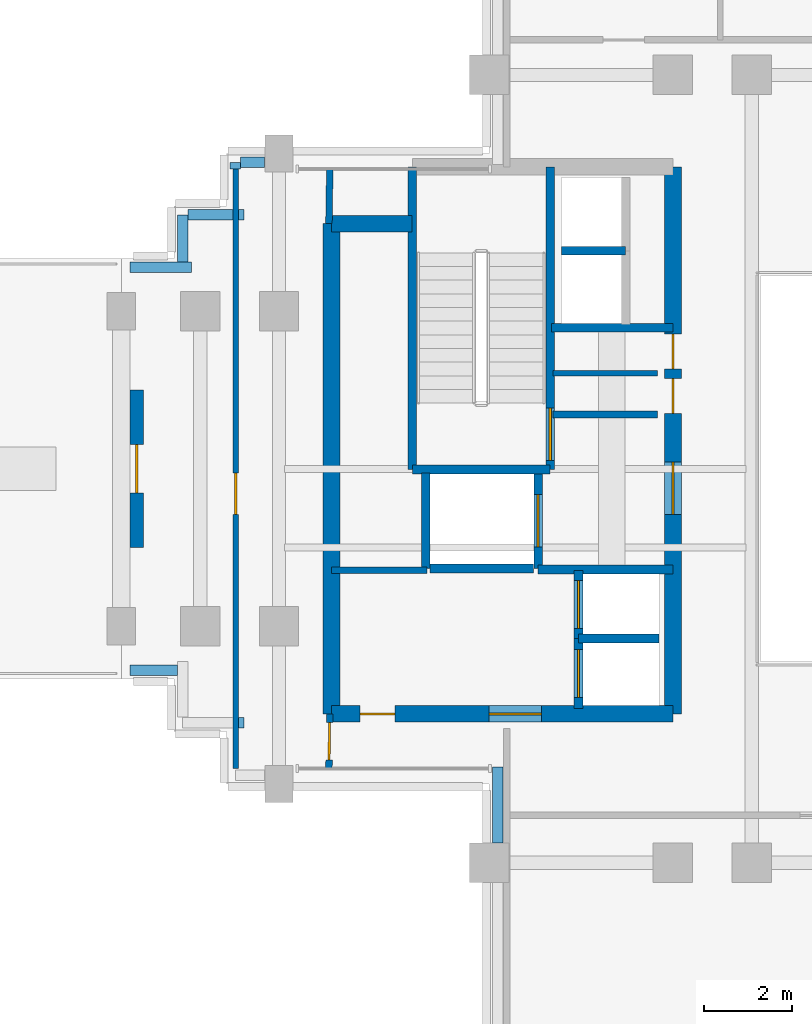
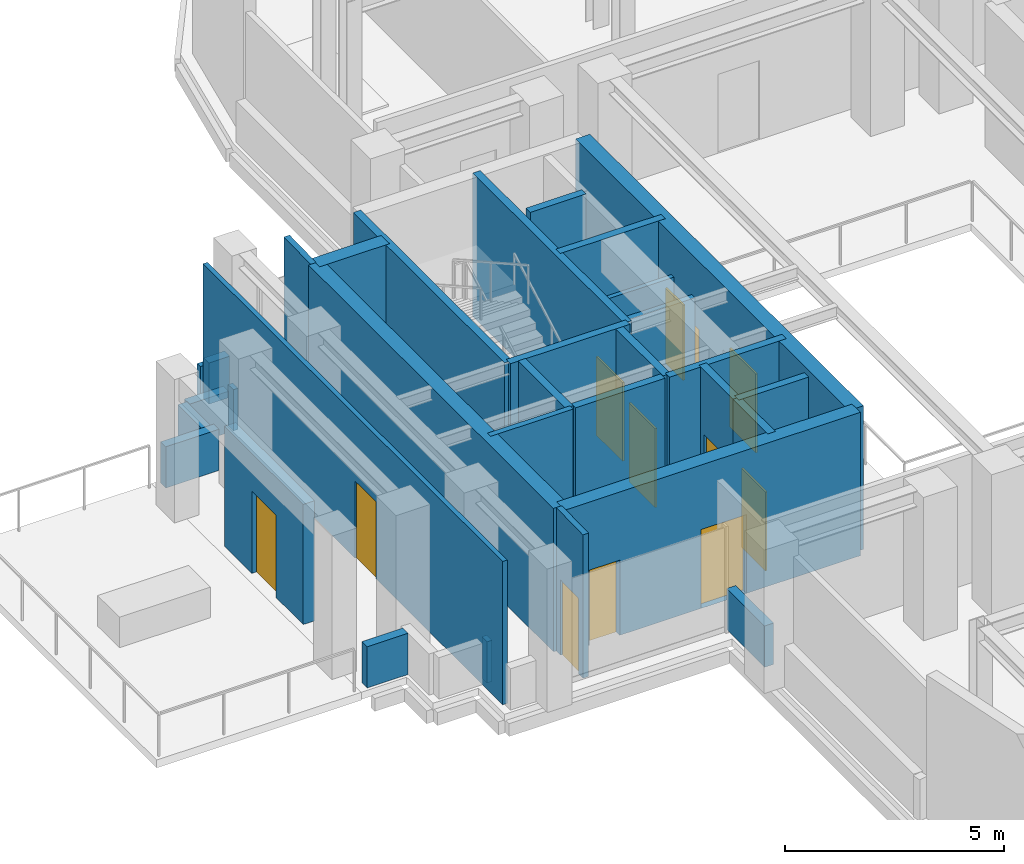
# One storey, part 6 of 12: 32 walls, 12 doors, 12 openings.
"""IFC4 building model written with IfcOpenShell, lengths in metres."""

from ifc_helpers import new_model, si_unit, direction, frame, frame_2d, origin, place, context, subcontext, project, spatial, rectangle, extrude, source, transform, mapped, material, layer, layer_set, type_object, element, fill, save


model = new_model("IFC4")

# Units and contexts
model_context = context("Model", 3, precision=1e-05, world=origin(), true_north=direction((0.0, 1.0)))
body_context = subcontext(model_context, "Body", "Model", "MODEL_VIEW")
ifc_project = project(units=[si_unit("LENGTHUNIT", "METRE"), si_unit("AREAUNIT", "SQUARE_METRE"), si_unit("VOLUMEUNIT", "CUBIC_METRE"), si_unit("PLANEANGLEUNIT", "RADIAN"), si_unit("MASSUNIT", "GRAM", prefix="KILO")], contexts=[model_context])

# Site, building, storey
site_placement = place(None, origin())
site = spatial("IfcSite", under=ifc_project, at=site_placement, CompositionType="ELEMENT")
building_placement = place(site_placement, origin())
building = spatial("IfcBuilding", under=site, at=building_placement, Name="Keilestroom Media Tower", CompositionType="ELEMENT")
storey_placement = place(building_placement, frame((0.0, 0.0, 156.199951171875)))
storey = spatial("IfcBuildingStorey", under=building, at=storey_placement, Name="L42", CompositionType="ELEMENT", Elevation=156.199951171875)

# Wall, opening, door
ifc_material_1 = material(Name="Precast concrete C40/50", Category="concrete")
ifc_layer_1 = layer(ifc_material_1, 0.300048828125)
ifc_layer_set_1 = layer_set([ifc_layer_1], Name="Precast concrete C40/50")
wall_type_1 = type_object("IfcWallType", Name="Exterior-Masonry-Spandrel-Wall-300", PredefinedType="SOLIDWALL", material=ifc_layer_set_1)
wall_1_placement = place(storey_placement, frame((-17.64990234375, -1.800048828125, 0.0), z_axis=(0.0, 0.0, 1.0), x_axis=(0.0, 1.0, 0.0)))
wall_1 = element("IfcWall", 1, at=wall_1_placement, inside=storey, type_object=wall_type_1, Name="L42 Terrace Threshold Wall SG42-W", PredefinedType="SOLIDWALL", context=body_context, shape_type="SweptSolid", body=[
    extrude(rectangle(XDim=3.60009765625, YDim=0.300048828125, at=frame_2d((1.800048828125, 0.0))), origin(), (0.0, 0.0, 1.0), 3.35009765625),
])
opening_1_placement = place(wall_1_placement, frame((1.25, 0.0, 0.0)))
opening_1 = element("IfcOpeningElement", 2, at=opening_1_placement, cuts=wall_1, Name="Opening DE-02", PredefinedType="OPENING", context=body_context, shape_type="SweptSolid", body=[
    extrude(rectangle(XDim=1.10009765625, YDim=2.300048828125, at=frame_2d((0.550048828125, 1.14990234375))), frame((0.0, 0.16015625, 0.0), z_axis=(0.0, -1.0, 0.0), x_axis=(1.0, 0.0, 0.0)), (0.0, 0.0, 1.0), 0.320068359375),
])
ifc_material_2 = material(Name="Thermally Broken Aluminium & Laminated Glass", Category="aluminium")
door_type_1 = type_object("IfcDoorType", Name="Exterior-Entrance-And-Terrace-Door-DE-02", OperationType="NOTDEFINED", PredefinedType="DOOR", material=ifc_material_2)
shared_shape_1 = source(origin(), body_context, "Body", "SweptSolid", [
    extrude(rectangle(XDim=1.10009765625, YDim=2.300048828125, at=frame_2d((0.550048828125, 1.14990234375))), frame((0.0, 0.02490234375, 0.0), z_axis=(0.0, -1.0, 0.0), x_axis=(1.0, 0.0, 0.0)), (0.0, 0.0, 1.0), 0.050048828125),
])
door_1_placement = place(opening_1_placement, origin())
door_1 = element("IfcDoor", 3, at=door_1_placement, inside=storey, type_object=door_type_1, Name="L42 Terrace Access Door DE-02 SG42-W", OperationType="SINGLE_SWING_LEFT", OverallHeight=2.300048828125, OverallWidth=1.10009765625, PredefinedType="DOOR", context=body_context, shape_type="MappedRepresentation", body=[
    mapped(shared_shape_1, transform((0.0, 0.0, 0.0), x_axis=(1.0, 0.0, 0.0), y_axis=(0.0, 1.0, 0.0), z_axis=(0.0, 0.0, 1.0), scale=1.0)),
])
fill(opening_1, door_1)

# Wall
ifc_material_3 = material(Name="Gypsum Plasterboard & Steel Stud", Category="steel")
ifc_layer_2 = layer(ifc_material_3, 0.1201171875)
ifc_layer_set_2 = layer_set([ifc_layer_2], Name="Gypsum Plasterboard & Steel Stud")
wall_type_2 = type_object("IfcWallType", Name="Interior-Partition-Wall-120", PredefinedType="PARTITIONING", material=ifc_layer_set_2)
wall_2_placement = place(storey_placement, frame((-8.139892578125, 2.179931640625, 0.0), z_axis=(0.0, 0.0, 1.0), x_axis=(1.0, 0.0, 0.0)))
element("IfcWall", 4, at=wall_2_placement, inside=storey, type_object=wall_type_2, Name="L42 Interior Wall WP-L42-CNW-N", PredefinedType="PARTITIONING", context=body_context, shape_type="SweptSolid", body=[
    extrude(rectangle(XDim=2.389892578125, YDim=0.1201171875, at=frame_2d((1.19482421875, 0.0))), origin(), (0.0, 0.0, 1.0), 3.10009765625),
])

# Wall, opening, door
wall_3_placement = place(storey_placement, frame((-15.389892578125, -6.85009765625, 0.0), z_axis=(0.0, 0.0, 1.0), x_axis=(0.0, 1.0, 0.0)))
wall_3 = element("IfcWall", 5, at=wall_3_placement, inside=storey, type_object=wall_type_2, Name="L42 Interior Wall WP-L42-WA-V", PredefinedType="PARTITIONING", context=body_context, shape_type="SweptSolid", body=[
    extrude(rectangle(XDim=13.7001953125, YDim=0.1201171875, at=frame_2d((6.85009765625, 0.0))), origin(), (0.0, 0.0, 1.0), 4.0),
])
opening_2_placement = place(wall_3_placement, frame((5.800048828125, 0.0, 0.0)))
opening_2 = element("IfcOpeningElement", 6, at=opening_2_placement, cuts=wall_3, Name="Opening DI-03", PredefinedType="OPENING", context=body_context, shape_type="SweptSolid", body=[
    extrude(rectangle(XDim=0.949951171875, YDim=2.14990234375, at=frame_2d((0.47509765625, 1.074951171875))), frame((0.0, 0.070068359375, 0.0), z_axis=(0.0, -1.0, 0.0), x_axis=(1.0, 0.0, 0.0)), (0.0, 0.0, 1.0), 0.14013671875),
])
ifc_material_4 = material(Name="Lacquered European Oak Leaf", Category="wood")
door_type_2 = type_object("IfcDoorType", Name="Interior-Room-And-Suite-Door-DI-03", OperationType="NOTDEFINED", PredefinedType="DOOR", material=ifc_material_4)
shared_shape_2 = source(origin(), body_context, "Body", "SweptSolid", [
    extrude(rectangle(XDim=0.949951171875, YDim=2.14990234375, at=frame_2d((0.47509765625, 1.074951171875))), frame((0.0, 0.02490234375, 0.0), z_axis=(0.0, -1.0, 0.0), x_axis=(1.0, 0.0, 0.0)), (0.0, 0.0, 1.0), 0.050048828125),
])
door_2_placement = place(opening_2_placement, origin())
door_2 = element("IfcDoor", 7, at=door_2_placement, inside=storey, type_object=door_type_2, Name="L42 Interior Door DI-L42-DWA-W", OperationType="SINGLE_SWING_RIGHT", OverallHeight=2.14990234375, OverallWidth=0.949951171875, PredefinedType="DOOR", context=body_context, shape_type="MappedRepresentation", body=[
    mapped(shared_shape_2, transform((0.0, 0.0, 0.0), x_axis=(1.0, 0.0, 0.0), y_axis=(0.0, 1.0, 0.0), z_axis=(0.0, 0.0, 1.0), scale=1.0)),
])
fill(opening_2, door_2)

# Walls
ifc_layer_3 = layer(ifc_material_3, 0.14990234375)
ifc_layer_set_3 = layer_set([ifc_layer_3], Name="Gypsum Plasterboard & Steel Stud")
wall_type_3 = type_object("IfcWallType", Name="Interior-Partition-Wall-150", PredefinedType="PARTITIONING", material=ifc_layer_set_3)
wall_4_placement = place(storey_placement, frame((-8.139892578125, 1.239990234375, 0.0), z_axis=(0.0, 0.0, 1.0), x_axis=(1.0, 0.0, 0.0)))
element("IfcWall", 8, at=wall_4_placement, inside=storey, type_object=wall_type_3, Name="L42 Interior Wall WP-L42-FFW-TOP", PredefinedType="PARTITIONING", context=body_context, shape_type="SweptSolid", body=[
    extrude(rectangle(XDim=2.389892578125, YDim=0.14990234375, at=frame_2d((1.19482421875, 0.0))), origin(), (0.0, 0.0, 1.0), 3.10009765625),
])
wall_5_placement = place(storey_placement, frame((-13.199951171875, -2.320068359375, 0.0), z_axis=(0.0, 0.0, 1.0), x_axis=(1.0, 0.0, 0.0)))
element("IfcWall", 9, at=wall_5_placement, inside=storey, type_object=wall_type_3, Name="L42 Interior Wall WP-L42-RECLW-N", PredefinedType="PARTITIONING", context=body_context, shape_type="SweptSolid", body=[
    extrude(rectangle(XDim=2.179931640625, YDim=0.14990234375, at=frame_2d((1.08984375, 0.0))), origin(), (0.0, 0.0, 1.0), 4.0),
])
wall_6_placement = place(storey_placement, frame((-13.260009765625, 5.60009765625, 0.0), z_axis=(0.0, 0.0, 1.0), x_axis=(0.016013571389, 0.999871774545, 0.0)))
element("IfcWall", 10, at=wall_6_placement, inside=storey, type_object=wall_type_3, Name="L42 Interior Wall WP-L42-WA-ENTN", PredefinedType="PARTITIONING", context=body_context, shape_type="SweptSolid", body=[
    extrude(rectangle(XDim=1.250244140625, YDim=0.14990234375, at=frame_2d((0.625, 0.0))), origin(), (0.0, 0.0, 1.0), 4.0),
])

# Wall, opening, door
wall_7_placement = place(storey_placement, frame((-13.260009765625, -6.85009765625, 0.0), z_axis=(0.0, 0.0, 1.0), x_axis=(0.016013571389, 0.999871774545, 0.0)))
wall_7 = element("IfcWall", 11, at=wall_7_placement, inside=storey, type_object=wall_type_3, Name="L42 Interior Wall WP-L42-WA-ENTS", PredefinedType="PARTITIONING", context=body_context, shape_type="SweptSolid", body=[
    extrude(rectangle(XDim=1.250244140625, YDim=0.14990234375, at=frame_2d((0.625, 0.0))), origin(), (0.0, 0.0, 1.0), 4.0),
])
opening_3_placement = place(wall_7_placement, frame((0.199951171875, 0.0, 0.0)))
opening_3 = element("IfcOpeningElement", 12, at=opening_3_placement, cuts=wall_7, Name="Opening DI-05", PredefinedType="OPENING", context=body_context, shape_type="SweptSolid", body=[
    extrude(rectangle(XDim=0.85009765625, YDim=2.10009765625, at=frame_2d((0.425048828125, 1.050048828125))), frame((0.0, 0.0849609375, 0.0), z_axis=(0.0, -1.0, 0.0), x_axis=(1.0, 0.0, 0.0)), (0.0, 0.0, 1.0), 0.169921875),
])
ifc_material_5 = material(Name="Moisture-Resistant Oak Leaf", Category="wood")
door_type_3 = type_object("IfcDoorType", Name="Interior-En-Suite-And-Cupboard-Door-DI-05", OperationType="NOTDEFINED", PredefinedType="DOOR", material=ifc_material_5)
shared_shape_3 = source(origin(), body_context, "Body", "SweptSolid", [
    extrude(rectangle(XDim=0.85009765625, YDim=2.10009765625, at=frame_2d((0.425048828125, 1.050048828125))), frame((0.0, 0.02490234375, 0.0), z_axis=(0.0, -1.0, 0.0), x_axis=(1.0, 0.0, 0.0)), (0.0, 0.0, 1.0), 0.050048828125),
])
door_3_placement = place(opening_3_placement, origin())
door_3 = element("IfcDoor", 13, at=door_3_placement, inside=storey, type_object=door_type_3, Name="L42 Interior Door DI-L42-DWA-E", OperationType="SINGLE_SWING_LEFT", OverallHeight=2.10009765625, OverallWidth=0.85009765625, PredefinedType="DOOR", context=body_context, shape_type="MappedRepresentation", body=[
    mapped(shared_shape_3, transform((0.0, 0.0, 0.0), x_axis=(1.0, 0.0, 0.0), y_axis=(0.0, 1.0, 0.0), z_axis=(0.0, 0.0, 1.0), scale=1.0)),
])
fill(opening_3, door_3)

# Wall
ifc_material_6 = material(Name="Concrete C55/67", Category="concrete")
ifc_layer_4 = layer(ifc_material_6, 0.3798828125)
ifc_layer_set_4 = layer_set([ifc_layer_4], Name="Concrete C55/67")
wall_type_4 = type_object("IfcWallType", Name="Reinforced-Concrete-Core-Shear-Wall-380", PredefinedType="SHEAR", material=ifc_layer_set_4)
wall_8_placement = place(storey_placement, frame((-13.199951171875, -5.60009765625, 0.0), z_axis=(0.0, 0.0, 1.0), x_axis=(0.0, 1.0, 0.0)))
element("IfcWall", 14, at=wall_8_placement, inside=storey, type_object=wall_type_4, Name="L42 Core Shear Wall WL-L42-CORE-W-OUT", PredefinedType="SHEAR", context=body_context, shape_type="SweptSolid", body=[
    extrude(rectangle(XDim=11.2001953125, YDim=0.3798828125, at=frame_2d((5.60009765625, 0.0))), origin(), (0.0, 0.0, 1.0), 4.0),
])

# Wall, openings, doors
wall_9_placement = place(storey_placement, frame((-5.39990234375, -5.60009765625, 0.0), z_axis=(0.0, 0.0, 1.0), x_axis=(0.0, 1.0, 0.0)))
wall_9 = element("IfcWall", 15, at=wall_9_placement, inside=storey, type_object=wall_type_4, Name="L42 Core Shear Wall WL-L42-CORE-W-IN", PredefinedType="SHEAR", context=body_context, shape_type="SweptSolid", body=[
    extrude(rectangle(XDim=12.5, YDim=0.3798828125, at=frame_2d((6.25, 0.0))), origin(), (0.0, 0.0, 1.0), 4.0),
])
opening_4_placement = place(wall_9_placement, frame((4.550048828125, 0.0, 0.0)))
opening_4 = element("IfcOpeningElement", 16, at=opening_4_placement, cuts=wall_9, Name="Opening DI-02", PredefinedType="OPENING", context=body_context, shape_type="SweptSolid", body=[
    extrude(rectangle(XDim=1.199951171875, YDim=2.199951171875, at=frame_2d((0.60009765625, 1.10009765625))), frame((0.0, 0.199951171875, 0.0), z_axis=(0.0, -1.0, 0.0), x_axis=(1.0, 0.0, 0.0)), (0.0, 0.0, 1.0), 0.39990234375),
])
opening_5_placement = place(wall_9_placement, frame((6.860107421875, 0.0, 0.0)))
opening_5 = element("IfcOpeningElement", 17, at=opening_5_placement, cuts=wall_9, Name="Opening DI-06", PredefinedType="OPENING", context=body_context, shape_type="SweptSolid", body=[
    extrude(rectangle(XDim=0.800048828125, YDim=2.10009765625, at=frame_2d((0.39990234375, 1.050048828125))), frame((0.0, 0.199951171875, 0.0), z_axis=(0.0, -1.0, 0.0), x_axis=(1.0, 0.0, 0.0)), (0.0, 0.0, 1.0), 0.39990234375),
])
opening_6_placement = place(wall_9_placement, frame((7.8798828125, 0.0, 0.0)))
opening_6 = element("IfcOpeningElement", 18, at=opening_6_placement, cuts=wall_9, Name="Opening DI-06", PredefinedType="OPENING", context=body_context, shape_type="SweptSolid", body=[
    extrude(rectangle(XDim=0.800048828125, YDim=2.10009765625, at=frame_2d((0.39990234375, 1.050048828125))), frame((0.0, 0.199951171875, 0.0), z_axis=(0.0, -1.0, 0.0), x_axis=(1.0, 0.0, 0.0)), (0.0, 0.0, 1.0), 0.39990234375),
])
ifc_material_7 = material(Name="Powder-Coated Steel Fire Leaf", Category="steel")
door_type_4 = type_object("IfcDoorType", Name="Interior-Compartment-Fire-Door-DI-02", OperationType="NOTDEFINED", PredefinedType="DOOR", material=ifc_material_7)
shared_shape_4 = source(origin(), body_context, "Body", "SweptSolid", [
    extrude(rectangle(XDim=1.199951171875, YDim=2.199951171875, at=frame_2d((0.60009765625, 1.10009765625))), frame((0.0, 0.02490234375, 0.0), z_axis=(0.0, -1.0, 0.0), x_axis=(1.0, 0.0, 0.0)), (0.0, 0.0, 1.0), 0.050048828125),
])
door_4_placement = place(opening_4_placement, origin())
door_4 = element("IfcDoor", 19, at=door_4_placement, inside=storey, type_object=door_type_4, Name="L42 W Firefighting Lobby Door", OperationType="SINGLE_SWING_RIGHT", OverallHeight=2.199951171875, OverallWidth=1.199951171875, PredefinedType="DOOR", context=body_context, shape_type="MappedRepresentation", body=[
    mapped(shared_shape_4, transform((0.0, 0.0, 0.0), x_axis=(1.0, 0.0, 0.0), y_axis=(0.0, 1.0, 0.0), z_axis=(0.0, 0.0, 1.0), scale=1.0)),
])
fill(opening_4, door_4)
ifc_material_8 = material(Name="Powder-Coated Steel Service Leaf", Category="steel")
door_type_5 = type_object("IfcDoorType", Name="Interior-Riser-Access-Door-DI-06", OperationType="NOTDEFINED", PredefinedType="DOOR", material=ifc_material_8)
shared_shape_5 = source(origin(), body_context, "Body", "SweptSolid", [
    extrude(rectangle(XDim=0.800048828125, YDim=2.10009765625, at=frame_2d((0.39990234375, 1.050048828125))), frame((0.0, 0.02490234375, 0.0), z_axis=(0.0, -1.0, 0.0), x_axis=(1.0, 0.0, 0.0)), (0.0, 0.0, 1.0), 0.050048828125),
])
door_5_placement = place(opening_5_placement, origin())
door_5 = element("IfcDoor", 20, at=door_5_placement, inside=storey, type_object=door_type_5, Name="L42 West Core Switchroom Door", OperationType="SINGLE_SWING_LEFT", OverallHeight=2.10009765625, OverallWidth=0.800048828125, PredefinedType="DOOR", context=body_context, shape_type="MappedRepresentation", body=[
    mapped(shared_shape_5, transform((0.0, 0.0, 0.0), x_axis=(1.0, 0.0, 0.0), y_axis=(0.0, 1.0, 0.0), z_axis=(0.0, 0.0, 1.0), scale=1.0)),
])
fill(opening_5, door_5)
door_6_placement = place(opening_6_placement, origin())
door_6 = element("IfcDoor", 21, at=door_6_placement, inside=storey, type_object=door_type_5, Name="L42 West Core Closet Door", OperationType="SINGLE_SWING_LEFT", OverallHeight=2.10009765625, OverallWidth=0.800048828125, PredefinedType="DOOR", context=body_context, shape_type="MappedRepresentation", body=[
    mapped(shared_shape_5, transform((0.0, 0.0, 0.0), x_axis=(1.0, 0.0, 0.0), y_axis=(0.0, 1.0, 0.0), z_axis=(0.0, 0.0, 1.0), scale=1.0)),
])
fill(opening_6, door_6)

# Wall
wall_10_placement = place(storey_placement, frame((-13.199951171875, 5.60009765625, 0.0), z_axis=(0.0, 0.0, 1.0), x_axis=(1.0, 0.0, 0.0)))
element("IfcWall", 22, at=wall_10_placement, inside=storey, type_object=wall_type_4, Name="L42 Core Shear Wall WL-L42-CNW-N", PredefinedType="SHEAR", context=body_context, shape_type="SweptSolid", body=[
    extrude(rectangle(XDim=1.843994140625, YDim=0.3798828125, at=frame_2d((0.921875, 0.0))), origin(), (0.0, 0.0, 1.0), 4.0),
])

# Wall, openings, doors
wall_11_placement = place(storey_placement, frame((-13.199951171875, -5.60009765625, 0.0), z_axis=(0.0, 0.0, 1.0), x_axis=(1.0, 0.0, 0.0)))
wall_11 = element("IfcWall", 23, at=wall_11_placement, inside=storey, type_object=wall_type_4, Name="L42 Core Shear Wall WL-L42-CORE-W-S", PredefinedType="SHEAR", context=body_context, shape_type="SweptSolid", body=[
    extrude(rectangle(XDim=7.800048828125, YDim=0.3798828125, at=frame_2d((3.89990234375, 0.0))), origin(), (0.0, 0.0, 1.0), 4.0),
])
opening_7_placement = place(wall_11_placement, frame((3.60009765625, 0.0, 0.0)))
opening_7 = element("IfcOpeningElement", 24, at=opening_7_placement, cuts=wall_11, Name="Opening DI-02", PredefinedType="OPENING", context=body_context, shape_type="SweptSolid", body=[
    extrude(rectangle(XDim=1.199951171875, YDim=2.199951171875, at=frame_2d((0.60009765625, 1.10009765625))), frame((0.0, 0.199951171875, 0.0), z_axis=(0.0, -1.0, 0.0), x_axis=(1.0, 0.0, 0.0)), (0.0, 0.0, 1.0), 0.39990234375),
])
opening_8_placement = place(wall_11_placement, frame((0.64990234375, 0.0, 0.0)))
opening_8 = element("IfcOpeningElement", 25, at=opening_8_placement, cuts=wall_11, Name="Opening DI-06", PredefinedType="OPENING", context=body_context, shape_type="SweptSolid", body=[
    extrude(rectangle(XDim=0.800048828125, YDim=2.10009765625, at=frame_2d((0.39990234375, 1.050048828125))), frame((0.0, 0.199951171875, 0.0), z_axis=(0.0, -1.0, 0.0), x_axis=(1.0, 0.0, 0.0)), (0.0, 0.0, 1.0), 0.39990234375),
])
door_7_placement = place(opening_7_placement, origin())
door_7 = element("IfcDoor", 26, at=door_7_placement, inside=storey, type_object=door_type_4, Name="L42 W Passenger Lift Lobby Door", OperationType="SINGLE_SWING_LEFT", OverallHeight=2.199951171875, OverallWidth=1.199951171875, PredefinedType="DOOR", context=body_context, shape_type="MappedRepresentation", body=[
    mapped(shared_shape_4, transform((0.0, 0.0, 0.0), x_axis=(1.0, 0.0, 0.0), y_axis=(0.0, 1.0, 0.0), z_axis=(0.0, 0.0, 1.0), scale=1.0)),
])
fill(opening_7, door_7)
door_8_placement = place(opening_8_placement, origin())
door_8 = element("IfcDoor", 27, at=door_8_placement, inside=storey, type_object=door_type_5, Name="L42 Reclaimed West Core Room Door", OperationType="SINGLE_SWING_LEFT", OverallHeight=2.10009765625, OverallWidth=0.800048828125, PredefinedType="DOOR", context=body_context, shape_type="MappedRepresentation", body=[
    mapped(shared_shape_5, transform((0.0, 0.0, 0.0), x_axis=(1.0, 0.0, 0.0), y_axis=(0.0, 1.0, 0.0), z_axis=(0.0, 0.0, 1.0), scale=1.0)),
])
fill(opening_8, door_8)

# Walls
ifc_material_9 = material(Name="Concrete C50/60", Category="concrete")
ifc_layer_5 = layer(ifc_material_9, 0.199951171875)
ifc_layer_set_5 = layer_set([ifc_layer_5], Name="Concrete C50/60")
wall_type_5 = type_object("IfcWallType", Name="Reinforced-Concrete-Shaft-Wall-200", PredefinedType="SOLIDWALL", material=ifc_layer_set_5)
wall_12_placement = place(storey_placement, frame((-8.179931640625, 3.219970703125, 0.0), z_axis=(0.0, 0.0, 1.0), x_axis=(1.0, 0.0, 0.0)))
element("IfcWall", 28, at=wall_12_placement, inside=storey, type_object=wall_type_5, Name="L42 Core Shear Wall WL-L42-CORE-W-FFN", PredefinedType="SOLIDWALL", context=body_context, shape_type="SweptSolid", body=[
    extrude(rectangle(XDim=2.780029296875, YDim=0.199951171875, at=frame_2d((1.39013671875, 0.0))), origin(), (0.0, 0.0, 1.0), 4.0),
])
wall_13_placement = place(storey_placement, frame((-8.47998046875, -2.300048828125, 0.0), z_axis=(0.0, 0.0, 1.0), x_axis=(1.0, 0.0, 0.0)))
element("IfcWall", 29, at=wall_13_placement, inside=storey, type_object=wall_type_5, Name="L42 Core Shear Wall WL-L42-CORE-W-FFS", PredefinedType="SOLIDWALL", context=body_context, shape_type="SweptSolid", body=[
    extrude(rectangle(XDim=3.080078125, YDim=0.199951171875, at=frame_2d((1.5400390625, 0.0))), origin(), (0.0, 0.0, 1.0), 4.0),
])

# Wall, opening, door
wall_14_placement = place(storey_placement, frame((-8.2041015625, -0.01611328125, 0.0), z_axis=(0.0, 0.0, 1.0), x_axis=(0.0, 1.0, 0.0)))
wall_14 = element("IfcWall", 30, at=wall_14_placement, inside=storey, type_object=wall_type_5, Name="L42 Core Shear Wall WL-L42-STW-W-NEAR", PredefinedType="SOLIDWALL", context=body_context, shape_type="SweptSolid", body=[
    extrude(rectangle(XDim=6.916015625, YDim=0.199951171875, at=frame_2d((3.4580078125, 0.0))), origin(), (0.0, 0.0, 1.0), 4.0),
])
opening_9_placement = place(wall_14_placement, frame((0.199951171875, 0.0, 0.0)))
opening_9 = element("IfcOpeningElement", 31, at=opening_9_placement, cuts=wall_14, Name="Opening DI-01S", PredefinedType="OPENING", context=body_context, shape_type="SweptSolid", body=[
    extrude(rectangle(XDim=1.199951171875, YDim=2.199951171875, at=frame_2d((0.60009765625, 1.10009765625))), frame((0.0, 0.10986328125, 0.0), z_axis=(0.0, -1.0, 0.0), x_axis=(1.0, 0.0, 0.0)), (0.0, 0.0, 1.0), 0.219970703125),
])
door_type_6 = type_object("IfcDoorType", Name="Interior-Stair-And-Core-Fire-Door-DI-01", OperationType="NOTDEFINED", PredefinedType="DOOR", material=ifc_material_7)
door_9_placement = place(opening_9_placement, origin())
door_9 = element("IfcDoor", 32, at=door_9_placement, inside=storey, type_object=door_type_6, Name="L42 Escape Stair ST-1 Fire Door", OperationType="SINGLE_SWING_LEFT", OverallHeight=2.199951171875, OverallWidth=1.199951171875, PredefinedType="DOOR", context=body_context, shape_type="MappedRepresentation", body=[
    mapped(shared_shape_4, transform((0.0, 0.0, 0.0), x_axis=(1.0, 0.0, 0.0), y_axis=(0.0, 1.0, 0.0), z_axis=(0.0, 0.0, 1.0), scale=1.0)),
])
fill(opening_9, door_9)

# Walls
wall_15_placement = place(storey_placement, frame((-11.35595703125, -0.01611328125, 0.0), z_axis=(0.0, 0.0, 1.0), x_axis=(0.0, 1.0, 0.0)))
element("IfcWall", 33, at=wall_15_placement, inside=storey, type_object=wall_type_5, Name="L42 Core Shear Wall WL-L42-STW-W-FAR", PredefinedType="SOLIDWALL", context=body_context, shape_type="SweptSolid", body=[
    extrude(rectangle(XDim=6.916015625, YDim=0.199951171875, at=frame_2d((3.4580078125, 0.0))), origin(), (0.0, 0.0, 1.0), 4.0),
])
wall_16_placement = place(storey_placement, frame((-11.35595703125, -0.01611328125, 0.0), z_axis=(0.0, 0.0, 1.0), x_axis=(1.0, 0.0, 0.0)))
element("IfcWall", 34, at=wall_16_placement, inside=storey, type_object=wall_type_5, Name="L42 Core Shear Wall WL-L42-STW-W-S", PredefinedType="SOLIDWALL", context=body_context, shape_type="SweptSolid", body=[
    extrude(rectangle(XDim=3.15185546875, YDim=0.199951171875, at=frame_2d((1.575927734375, 0.0))), origin(), (0.0, 0.0, 1.0), 4.0),
])
wall_17_placement = place(storey_placement, frame((-11.050048828125, -2.280029296875, 0.0), z_axis=(0.0, 0.0, 1.0), x_axis=(0.0, 1.0, 0.0)))
element("IfcWall", 35, at=wall_17_placement, inside=storey, type_object=wall_type_5, Name="L42 Core Shear Wall WL-L42-LSH-FFL-1-W", PredefinedType="SOLIDWALL", context=body_context, shape_type="SweptSolid", body=[
    extrude(rectangle(XDim=2.179931640625, YDim=0.199951171875, at=frame_2d((1.08984375, 0.0))), origin(), (0.0, 0.0, 1.0), 4.0),
])

# Wall, opening, door
wall_18_placement = place(storey_placement, frame((-8.47998046875, -2.280029296875, 0.0), z_axis=(0.0, 0.0, 1.0), x_axis=(0.0, 1.0, 0.0)))
wall_18 = element("IfcWall", 36, at=wall_18_placement, inside=storey, type_object=wall_type_5, Name="L42 Core Shear Wall WL-L42-LSH-FFL-1-E", PredefinedType="SOLIDWALL", context=body_context, shape_type="SweptSolid", body=[
    extrude(rectangle(XDim=2.179931640625, YDim=0.199951171875, at=frame_2d((1.08984375, 0.0))), origin(), (0.0, 0.0, 1.0), 4.0),
])
opening_10_placement = place(wall_18_placement, frame((0.489990234375, 0.0, 0.0)))
opening_10 = element("IfcOpeningElement", 37, at=opening_10_placement, cuts=wall_18, Name="Opening LD-02", PredefinedType="OPENING", context=body_context, shape_type="SweptSolid", body=[
    extrude(rectangle(XDim=1.199951171875, YDim=2.199951171875, at=frame_2d((0.60009765625, 1.10009765625))), frame((0.0, 0.10986328125, 0.0), z_axis=(0.0, -1.0, 0.0), x_axis=(1.0, 0.0, 0.0)), (0.0, 0.0, 1.0), 0.219970703125),
])
ifc_material_10 = material(Name="Brushed Stainless Steel Sliding Leaf", Category="steel")
door_type_7 = type_object("IfcDoorType", Name="Lift-Landing-Sliding-Door-LD-02", OperationType="SLIDING_TO_RIGHT", PredefinedType="DOOR", material=ifc_material_10)
door_10_placement = place(opening_10_placement, origin())
door_10 = element("IfcDoor", 38, at=door_10_placement, inside=storey, type_object=door_type_7, Name="L42 Lift FFL-1 Landing Sliding Door", OperationType="SLIDING_TO_RIGHT", OverallHeight=2.199951171875, OverallWidth=1.199951171875, PredefinedType="DOOR", context=body_context, shape_type="MappedRepresentation", body=[
    mapped(shared_shape_4, transform((0.0, 0.0, 0.0), x_axis=(1.0, 0.0, 0.0), y_axis=(0.0, 1.0, 0.0), z_axis=(0.0, 0.0, 1.0), scale=1.0)),
])
fill(opening_10, door_10)

# Wall
wall_19_placement = place(storey_placement, frame((-10.946044921875, -2.280029296875, 0.0), z_axis=(0.0, 0.0, 1.0), x_axis=(1.0, 0.0, 0.0)))
element("IfcWall", 39, at=wall_19_placement, inside=storey, type_object=wall_type_5, Name="L42 Core Shear Wall WL-L42-LSH-FFL-1-S", PredefinedType="SOLIDWALL", context=body_context, shape_type="SweptSolid", body=[
    extrude(rectangle(XDim=2.362060546875, YDim=0.199951171875, at=frame_2d((1.18115234375, 0.0))), origin(), (0.0, 0.0, 1.0), 4.0),
])

# Wall, opening, door
wall_20_placement = place(storey_placement, frame((-7.56005859375, -5.47998046875, 0.0), z_axis=(0.0, 0.0, 1.0), x_axis=(0.0, 1.0, 0.0)))
wall_20 = element("IfcWall", 40, at=wall_20_placement, inside=storey, type_object=wall_type_5, Name="L42 Core Shear Wall WL-L42-LSH-PL-M1-W", PredefinedType="SOLIDWALL", context=body_context, shape_type="SweptSolid", body=[
    extrude(rectangle(XDim=1.60009765625, YDim=0.199951171875, at=frame_2d((0.800048828125, 0.0))), origin(), (0.0, 0.0, 1.0), 4.0),
])
opening_11_placement = place(wall_20_placement, frame((0.25, 0.0, 0.0)))
opening_11 = element("IfcOpeningElement", 41, at=opening_11_placement, cuts=wall_20, Name="Opening LD-01", PredefinedType="OPENING", context=body_context, shape_type="SweptSolid", body=[
    extrude(rectangle(XDim=1.10009765625, YDim=2.199951171875, at=frame_2d((0.550048828125, 1.10009765625))), frame((0.0, 0.10986328125, 0.0), z_axis=(0.0, -1.0, 0.0), x_axis=(1.0, 0.0, 0.0)), (0.0, 0.0, 1.0), 0.219970703125),
])
door_type_8 = type_object("IfcDoorType", Name="Lift-Landing-Sliding-Door-LD-01", OperationType="SLIDING_TO_LEFT", PredefinedType="DOOR", material=ifc_material_10)
shared_shape_6 = source(origin(), body_context, "Body", "SweptSolid", [
    extrude(rectangle(XDim=1.10009765625, YDim=2.199951171875, at=frame_2d((0.550048828125, 1.10009765625))), frame((0.0, 0.02490234375, 0.0), z_axis=(0.0, -1.0, 0.0), x_axis=(1.0, 0.0, 0.0)), (0.0, 0.0, 1.0), 0.050048828125),
])
door_11_placement = place(opening_11_placement, origin())
door_11 = element("IfcDoor", 42, at=door_11_placement, inside=storey, type_object=door_type_8, Name="L42 Lift PL-M1 Landing Sliding Door", OperationType="SLIDING_TO_LEFT", OverallHeight=2.199951171875, OverallWidth=1.10009765625, PredefinedType="DOOR", context=body_context, shape_type="MappedRepresentation", body=[
    mapped(shared_shape_6, transform((0.0, 0.0, 0.0), x_axis=(1.0, 0.0, 0.0), y_axis=(0.0, 1.0, 0.0), z_axis=(0.0, 0.0, 1.0), scale=1.0)),
])
fill(opening_11, door_11)

# Wall
wall_21_placement = place(storey_placement, frame((-7.56005859375, -3.8798828125, 0.0), z_axis=(0.0, 0.0, 1.0), x_axis=(1.0, 0.0, 0.0)))
element("IfcWall", 43, at=wall_21_placement, inside=storey, type_object=wall_type_5, Name="L42 Core Shear Wall WL-L42-LSH-PL-M1-N", PredefinedType="SOLIDWALL", context=body_context, shape_type="SweptSolid", body=[
    extrude(rectangle(XDim=1.840087890625, YDim=0.199951171875, at=frame_2d((0.919921875, 0.0))), origin(), (0.0, 0.0, 1.0), 4.0),
])

# Wall, opening, door
wall_22_placement = place(storey_placement, frame((-7.56005859375, -3.8798828125, 0.0), z_axis=(0.0, 0.0, 1.0), x_axis=(0.0, 1.0, 0.0)))
wall_22 = element("IfcWall", 44, at=wall_22_placement, inside=storey, type_object=wall_type_5, Name="L42 Core Shear Wall WL-L42-LSH-PL-M2-W", PredefinedType="SOLIDWALL", context=body_context, shape_type="SweptSolid", body=[
    extrude(rectangle(XDim=1.559814453125, YDim=0.199951171875, at=frame_2d((0.77978515625, 0.0))), origin(), (0.0, 0.0, 1.0), 4.0),
])
opening_12_placement = place(wall_22_placement, frame((0.22998046875, 0.0, 0.0)))
opening_12 = element("IfcOpeningElement", 45, at=opening_12_placement, cuts=wall_22, Name="Opening LD-01", PredefinedType="OPENING", context=body_context, shape_type="SweptSolid", body=[
    extrude(rectangle(XDim=1.10009765625, YDim=2.199951171875, at=frame_2d((0.550048828125, 1.10009765625))), frame((0.0, 0.10986328125, 0.0), z_axis=(0.0, -1.0, 0.0), x_axis=(1.0, 0.0, 0.0)), (0.0, 0.0, 1.0), 0.219970703125),
])
door_12_placement = place(opening_12_placement, origin())
door_12 = element("IfcDoor", 46, at=door_12_placement, inside=storey, type_object=door_type_8, Name="L42 Lift PL-M2 Landing Sliding Door", OperationType="SLIDING_TO_LEFT", OverallHeight=2.199951171875, OverallWidth=1.10009765625, PredefinedType="DOOR", context=body_context, shape_type="MappedRepresentation", body=[
    mapped(shared_shape_6, transform((0.0, 0.0, 0.0), x_axis=(1.0, 0.0, 0.0), y_axis=(0.0, 1.0, 0.0), z_axis=(0.0, 0.0, 1.0), scale=1.0)),
])
fill(opening_12, door_12)

# Walls
wall_23_placement = place(storey_placement, frame((-7.949951171875, 4.97998046875, 0.0), z_axis=(0.0, 0.0, 1.0), x_axis=(1.0, 0.0, 0.0)))
element("IfcWall", 47, at=wall_23_placement, inside=storey, type_object=wall_type_5, Name="L42 Core Shear Wall WL-L42-LSH-PL-H1-N", PredefinedType="SOLIDWALL", context=body_context, shape_type="SweptSolid", body=[
    extrude(rectangle(XDim=1.469970703125, YDim=0.199951171875, at=frame_2d((0.73486328125, 0.0))), origin(), (0.0, 0.0, 1.0), 4.0),
])
ifc_layer_6 = layer(ifc_material_1, 0.239990234375)
ifc_layer_set_6 = layer_set([ifc_layer_6], Name="Precast concrete C40/50")
wall_type_6 = type_object("IfcWallType", Name="Roof-And-Terrace-Parapet-Wall-240", PredefinedType="PARAPET", material=ifc_layer_set_6)
wall_24_placement = place(storey_placement, frame((-9.39990234375, -8.547119140625, 0.0), z_axis=(0.0, 0.0, 1.0), x_axis=(0.0, 1.0, 0.0)))
element("IfcWall", 48, at=wall_24_placement, inside=storey, type_object=wall_type_6, Name="L42 Perimeter Edge Parapet Wall 11", PredefinedType="PARAPET", context=body_context, shape_type="SweptSolid", body=[
    extrude(rectangle(XDim=1.728271484375, YDim=0.239990234375, at=frame_2d((0.8642578125, 0.0))), origin(), (0.0, 0.0, 1.0), 1.150146484375),
])
wall_25_placement = place(storey_placement, frame((-15.199951171875, -5.800048828125, 0.0), z_axis=(0.0, 0.0, 1.0), x_axis=(-1.0, 0.0, 0.0)))
element("IfcWall", 49, at=wall_25_placement, inside=storey, type_object=wall_type_6, Name="L42 Perimeter Edge Parapet Wall 13", PredefinedType="PARAPET", context=body_context, shape_type="SweptSolid", body=[
    extrude(rectangle(XDim=0.126953125, YDim=0.239990234375, at=frame_2d((0.0634765625, 0.0))), origin(), (0.0, 0.0, 1.0), 1.150146484375),
])
wall_26_placement = place(storey_placement, frame((-16.722900390625, -4.60009765625, 0.0), z_axis=(0.0, 0.0, 1.0), x_axis=(-1.0, 0.0, 0.0)))
element("IfcWall", 50, at=wall_26_placement, inside=storey, type_object=wall_type_6, Name="L42 Perimeter Edge Parapet Wall 16", PredefinedType="PARAPET", context=body_context, shape_type="SweptSolid", body=[
    extrude(rectangle(XDim=1.0771484375, YDim=0.239990234375, at=frame_2d((0.53857421875, 0.0))), origin(), (0.0, 0.0, 1.0), 1.150146484375),
])
wall_27_placement = place(storey_placement, frame((-17.800048828125, 4.60009765625, 0.0), z_axis=(0.0, 0.0, 1.0), x_axis=(1.0, 0.0, 0.0)))
element("IfcWall", 51, at=wall_27_placement, inside=storey, type_object=wall_type_6, Name="L42 Perimeter Edge Parapet Wall 17", PredefinedType="PARAPET", context=body_context, shape_type="SweptSolid", body=[
    extrude(rectangle(XDim=1.400146484375, YDim=0.239990234375, at=frame_2d((0.7001953125, 0.0))), origin(), (0.0, 0.0, 1.0), 1.150146484375),
])
wall_28_placement = place(storey_placement, frame((-16.60009765625, 4.722900390625, 0.0), z_axis=(0.0, 0.0, 1.0), x_axis=(0.0, 1.0, 0.0)))
element("IfcWall", 52, at=wall_28_placement, inside=storey, type_object=wall_type_6, Name="L42 Perimeter Edge Parapet Wall 18", PredefinedType="PARAPET", context=body_context, shape_type="SweptSolid", body=[
    extrude(rectangle(XDim=1.0771484375, YDim=0.239990234375, at=frame_2d((0.53857421875, 0.0))), origin(), (0.0, 0.0, 1.0), 1.150146484375),
])
wall_29_placement = place(storey_placement, frame((-16.47705078125, 5.800048828125, 0.0), z_axis=(0.0, 0.0, 1.0), x_axis=(1.0, 0.0, 0.0)))
element("IfcWall", 53, at=wall_29_placement, inside=storey, type_object=wall_type_6, Name="L42 Perimeter Edge Parapet Wall 19", PredefinedType="PARAPET", context=body_context, shape_type="SweptSolid", body=[
    extrude(rectangle(XDim=1.024169921875, YDim=0.239990234375, at=frame_2d((0.51220703125, 0.0))), origin(), (0.0, 0.0, 1.0), 1.150146484375),
])
wall_30_placement = place(storey_placement, frame((-15.326904296875, 5.800048828125, 0.0), z_axis=(0.0, 0.0, 1.0), x_axis=(1.0, 0.0, 0.0)))
element("IfcWall", 54, at=wall_30_placement, inside=storey, type_object=wall_type_6, Name="L42 Perimeter Edge Parapet Wall 20", PredefinedType="PARAPET", context=body_context, shape_type="SweptSolid", body=[
    extrude(rectangle(XDim=0.126953125, YDim=0.239990234375, at=frame_2d((0.0634765625, 0.0))), origin(), (0.0, 0.0, 1.0), 1.150146484375),
])
wall_31_placement = place(storey_placement, frame((-15.39990234375, 6.85302734375, 0.0), z_axis=(0.0, 0.0, 1.0), x_axis=(0.0, 1.0, 0.0)))
element("IfcWall", 55, at=wall_31_placement, inside=storey, type_object=wall_type_6, Name="L42 Perimeter Edge Parapet Wall 21", PredefinedType="PARAPET", context=body_context, shape_type="SweptSolid", body=[
    extrude(rectangle(XDim=0.14697265625, YDim=0.239990234375, at=frame_2d((0.073486328125, 0.0))), origin(), (0.0, 0.0, 1.0), 1.150146484375),
])
wall_32_placement = place(storey_placement, frame((-15.277099609375, 7.0, 0.0), z_axis=(0.0, 0.0, 1.0), x_axis=(1.0, 0.0, 0.0)))
element("IfcWall", 56, at=wall_32_placement, inside=storey, type_object=wall_type_6, Name="L42 Perimeter Edge Parapet Wall 22", PredefinedType="PARAPET", context=body_context, shape_type="SweptSolid", body=[
    extrude(rectangle(XDim=0.549072265625, YDim=0.239990234375, at=frame_2d((0.2744140625, 0.0))), origin(), (0.0, 0.0, 1.0), 1.150146484375),
])

save(model, "model.ifc")
